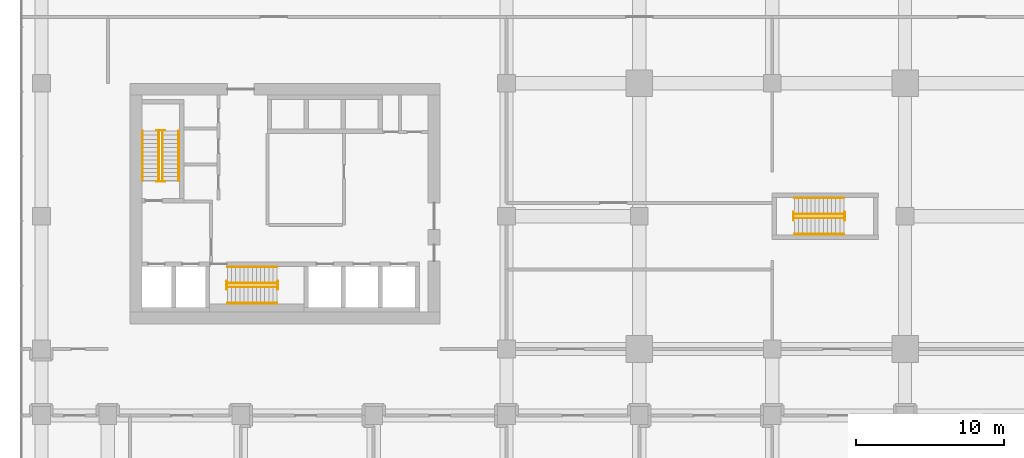
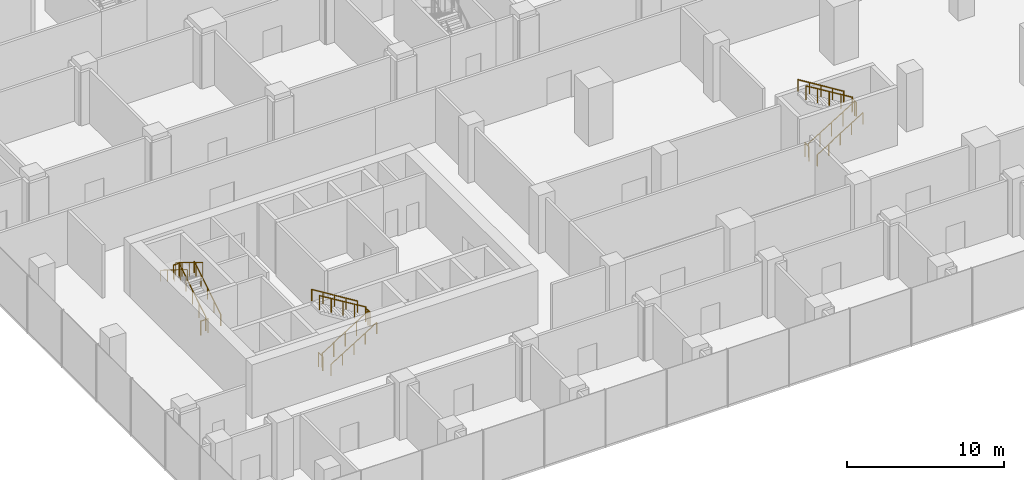
# One storey, part 39 of 43: 18 railings.
"""IFC4 building model written with IfcOpenShell, lengths in metres."""

import ifcopenshell
import ifcopenshell.guid

model = None  # the IFC model being written
_history = None  # IfcOwnerHistory: only IFC2X3 demands one
_inside = {}  # id of a spatial element -> (the spatial element, [elements in it])
_under = {}  # id of a project, library or spatial element -> (it, [spatial elements below it])
_declared = {}  # id of a project -> (the project, [libraries it declares])
_typed = {}  # id of a type object -> (the type object, [elements of that type])
_made_of = {}  # id of a material, layer set ... -> (it, [elements and type objects made of it])


def new_model(schema):
    """Start an empty IFC model of exactly this schema.

    Asked for "IFC4X3", IfcOpenShell would pick the latest addendum, in which some entities
    have other attributes; the version numbers below select the first issue.
    IFC2X3 requires an IfcOwnerHistory on every rooted entity: one is made here for all.
    """
    global model, _history
    if schema == "IFC4X3":
        model = ifcopenshell.file(schema_version=(4, 3, 0, 0))
    else:
        model = ifcopenshell.file(schema=schema)
    _inside.clear()
    _under.clear()
    _declared.clear()
    _typed.clear()
    _made_of.clear()
    _history = None
    if model.schema == "IFC2X3":
        org = make("IfcOrganization", Name="unknown")
        user = make(
            "IfcPersonAndOrganization",
            ThePerson=make("IfcPerson", FamilyName="unknown"),
            TheOrganization=org,
        )
        app = make(
            "IfcApplication",
            ApplicationDeveloper=org,
            Version="unknown",
            ApplicationFullName="unknown",
            ApplicationIdentifier="unknown",
        )
        _history = make(
            "IfcOwnerHistory",
            OwningUser=user,
            OwningApplication=app,
            ChangeAction="ADDED",
            CreationDate=0,
        )
    return model


def make(cls, **values):
    """One entity of the class cls with the attributes given. An attribute that is None is left unset."""
    return model.create_entity(
        cls, **{name: value for name, value in values.items() if value is not None}
    )


def rooted(cls, **values):
    """An entity with a GlobalId (a new one), such as an element, a storey or a relation."""
    return make(cls, GlobalId=ifcopenshell.guid.new(), OwnerHistory=_history, **values)


def si_unit(unit_type, name, prefix=None):
    """IfcSIUnit, for example si_unit("LENGTHUNIT", "METRE", prefix="MILLI")."""
    return make("IfcSIUnit", UnitType=unit_type, Prefix=prefix, Name=name)


def assignment(units):
    """IfcUnitAssignment: the units of a project."""
    return None if units is None else make("IfcUnitAssignment", Units=units)


def point(xyz):
    """IfcCartesianPoint."""
    return None if xyz is None else make("IfcCartesianPoint", Coordinates=xyz)


def direction(xyz):
    """IfcDirection."""
    return None if xyz is None else make("IfcDirection", DirectionRatios=xyz)


def frame(location, z_axis=None, x_axis=None):
    """IfcAxis2Placement3D, a coordinate frame: its origin and axes. An axis left out is left unset."""
    return make(
        "IfcAxis2Placement3D",
        Location=point(location),
        Axis=direction(z_axis),
        RefDirection=direction(x_axis),
    )


def frame_2d(location, x_axis=None):
    """IfcAxis2Placement2D, a coordinate frame in the plane: its origin and x axis."""
    return make(
        "IfcAxis2Placement2D", Location=point(location), RefDirection=direction(x_axis)
    )


def origin():
    """The frame at (0, 0, 0) with its axes left unset."""
    return frame((0.0, 0.0, 0.0))


def origin_2d():
    """The frame at (0, 0) in the plane with its x axis left unset."""
    return frame_2d((0.0, 0.0))


def place(relative_to, where):
    """IfcLocalPlacement: puts the frame where relative to a parent placement (None: the world)."""
    return make(
        "IfcLocalPlacement", PlacementRelTo=relative_to, RelativePlacement=where
    )


def context(
    kind, dimensions, precision=None, world=None, true_north=None, identifier=None
):
    """IfcGeometricRepresentationContext, for example the 3D "Model" context."""
    return make(
        "IfcGeometricRepresentationContext",
        ContextIdentifier=identifier,
        ContextType=kind,
        CoordinateSpaceDimension=dimensions,
        Precision=precision,
        WorldCoordinateSystem=world,
        TrueNorth=true_north,
    )


def subcontext(parent, identifier, kind, view, scale=None):
    """IfcGeometricRepresentationSubContext, for example "Body" below "Model"."""
    return make(
        "IfcGeometricRepresentationSubContext",
        ContextIdentifier=identifier,
        ContextType=kind,
        ParentContext=parent,
        TargetScale=scale,
        TargetView=view,
    )


def project(units=None, contexts=None):
    """IfcProject with its units and contexts."""
    return rooted(
        "IfcProject",
        Name="project",
        RepresentationContexts=contexts,
        UnitsInContext=assignment(units),
    )


def spatial(cls, under=None, at=None, **own):
    """A site, building, storey or space (cls), placed at a placement, below another one or the project."""
    s = rooted(cls, ObjectPlacement=at, **own)
    if under is not None:
        _under.setdefault(under.id(), (under, []))[1].append(s)
    return s


def profile(cls, at=None, kind="AREA", **sizes):
    """A parametric profile (cls). Its sizes go by their IFC names, for example OverallWidth=200.0."""
    return make(cls, ProfileType=kind, Position=at, **sizes)


def circle(**sizes):
    """IfcCircleProfileDef."""
    return profile("IfcCircleProfileDef", **sizes)


def extrude(swept, where, along, depth):
    """IfcExtrudedAreaSolid: the profile swept, set in the frame where, extruded along a direction by depth."""
    return make(
        "IfcExtrudedAreaSolid",
        SweptArea=swept,
        Position=where,
        ExtrudedDirection=direction(along),
        Depth=depth,
    )


def shape(context_of_items, identifier, shape_type, items):
    """IfcShapeRepresentation: the items that make up one representation, for example the "Body"."""
    return make(
        "IfcShapeRepresentation",
        ContextOfItems=context_of_items,
        RepresentationIdentifier=identifier,
        RepresentationType=shape_type,
        Items=items,
    )


def material(Name=None, Category=None):
    """IfcMaterial."""
    return make("IfcMaterial", Name=Name, Category=Category)


def made_of(thing, what):
    """Note that an element or type object is made of a material, layer set ...; save() writes the relation."""
    if what is not None:
        _made_of.setdefault(what.id(), (what, []))[1].append(thing)
    return thing


def type_object(cls, material=None, **own):
    """A type object (cls), such as IfcWallType, which elements share."""
    return made_of(rooted(cls, **own), material)


def element(
    cls,
    number,
    at=None,
    inside=None,
    cuts=None,
    type_object=None,
    material=None,
    context=None,
    identifier="Body",
    shape_type=None,
    held_by="IfcProductDefinitionShape",
    body=None,
    shapes=None,
    **own,
):
    """One element of the class cls, such as IfcWall. Its Tag is "e" and its number.

    at: its placement. inside: the storey or other place that contains it. cuts: it is an
    opening in that element (IfcRelVoidsElement). A single representation is given by context,
    identifier, shape_type and body (its items); several are given by shapes. held_by: the class
    of the entity that holds the representations. save() writes the other relations.
    """
    e = rooted(cls, Tag="e%d" % number, ObjectPlacement=at, **own)
    if body is not None:
        shapes = [shape(context, identifier, shape_type, body)]
    if shapes is not None:
        e.Representation = make(held_by, Representations=shapes)
    if inside is not None:
        _inside.setdefault(inside.id(), (inside, []))[1].append(e)
    if cuts is not None:
        rooted(
            "IfcRelVoidsElement", RelatingBuildingElement=cuts, RelatedOpeningElement=e
        )
    if type_object is not None:
        _typed.setdefault(type_object.id(), (type_object, []))[1].append(e)
    return made_of(e, material)


def aggregate(whole, parts):
    """IfcRelAggregates: a whole, such as a stair, and the parts it consists of."""
    return rooted("IfcRelAggregates", RelatingObject=whole, RelatedObjects=parts)


def save(model, path):
    """Write the relations noted so far, then the file.

    IfcRelAggregates (storeys below a building ...), IfcRelContainedInSpatialStructure (elements
    in a storey), IfcRelDefinesByType, IfcRelAssociatesMaterial and IfcRelDeclares: one each for
    every whole, place, type object, material and project.
    """
    for whole, parts in _under.values():
        aggregate(whole, parts)
    for where, things in _inside.values():
        rooted(
            "IfcRelContainedInSpatialStructure",
            RelatedElements=things,
            RelatingStructure=where,
        )
    for kind, things in _typed.values():
        rooted("IfcRelDefinesByType", RelatedObjects=things, RelatingType=kind)
    for what, things in _made_of.values():
        rooted("IfcRelAssociatesMaterial", RelatedObjects=things, RelatingMaterial=what)
    for by, libraries in _declared.values():
        rooted("IfcRelDeclares", RelatingContext=by, RelatedDefinitions=libraries)
    model.write(path)


model = new_model("IFC4")

# Units and contexts
model_context = context("Model", 3, precision=1e-05, world=origin(), true_north=direction((0.0, 1.0)))
body_context = subcontext(model_context, "Body", "Model", "MODEL_VIEW")
ifc_project = project(units=[si_unit("LENGTHUNIT", "METRE"), si_unit("AREAUNIT", "SQUARE_METRE"), si_unit("VOLUMEUNIT", "CUBIC_METRE"), si_unit("PLANEANGLEUNIT", "RADIAN"), si_unit("MASSUNIT", "GRAM", prefix="KILO")], contexts=[model_context])

# Site, building, storey
site_placement = place(None, origin())
site = spatial("IfcSite", under=ifc_project, at=site_placement, CompositionType="ELEMENT")
building_placement = place(site_placement, origin())
building = spatial("IfcBuilding", under=site, at=building_placement, Name="Plateau Cross Towers", CompositionType="ELEMENT")
storey_placement = place(building_placement, frame((0.0, 0.0, 17.300048828125)))
storey = spatial("IfcBuildingStorey", under=building, at=storey_placement, Name="L03", CompositionType="ELEMENT", Elevation=17.300048828125)

# Railings
ifc_material_1 = material(Name="Stainless steel and toughened glass", Category="steel")
railing_type_1 = type_object("IfcRailingType", Name="RL-GUARD-1100", PredefinedType="GUARDRAIL", material=ifc_material_1)
railing_1_placement = place(storey_placement, frame((3.699951171875, 11.39990234375, 0.173095703125)))
element("IfcRailing", 1, at=railing_1_placement, inside=storey, type_object=railing_type_1, Name="L03 ST-1 stair guard 1", PredefinedType="GUARDRAIL", context=body_context, shape_type="SweptSolid", body=[
    extrude(circle(Radius=0.02392578125, at=origin_2d()), frame((0.0, 0.0, 1.076171875), z_axis=(0.0, 0.850623216509, 0.525775754039), x_axis=(-1.0, 0.0, 0.0)), (0.0, 0.0, 1.0), 3.9501953125),
    extrude(circle(Radius=0.02099609375, at=origin_2d()), origin(), (0.0, 0.0, 1.0), 1.052001953125),
    extrude(circle(Radius=0.02099609375, at=origin_2d()), frame((0.0, 0.840087890625, 0.519287109375)), (0.0, 0.0, 1.0), 1.052001953125),
    extrude(circle(Radius=0.02099609375, at=origin_2d()), frame((0.0, 1.68017578125, 1.03857421875)), (0.0, 0.0, 1.0), 1.052001953125),
    extrude(circle(Radius=0.02099609375, at=origin_2d()), frame((0.0, 2.52001953125, 1.5576171875)), (0.0, 0.0, 1.0), 1.052001953125),
    extrude(circle(Radius=0.02099609375, at=origin_2d()), frame((0.0, 3.360107421875, 2.076904296875)), (0.0, 0.0, 1.0), 1.052001953125),
])
railing_2_placement = place(storey_placement, frame((3.85009765625, 14.81005859375, 2.25)))
element("IfcRailing", 2, at=railing_2_placement, inside=storey, type_object=railing_type_1, Name="L03 ST-1 stair guard 2", PredefinedType="GUARDRAIL", context=body_context, shape_type="SweptSolid", body=[
    extrude(circle(Radius=0.02392578125, at=origin_2d()), frame((0.0, 0.0, 1.076171875), z_axis=(-1.0, 0.0, 0.0), x_axis=(0.0, -1.0, 0.0)), (0.0, 0.0, 1.0), 0.550048828125),
    extrude(circle(Radius=0.02099609375, at=origin_2d()), origin(), (0.0, 0.0, 1.0), 1.052001953125),
    extrude(circle(Radius=0.02099609375, at=origin_2d()), frame((-0.550048828125, 0.0, 0.0)), (0.0, 0.0, 1.0), 1.052001953125),
])
railing_3_placement = place(storey_placement, frame((3.449951171875, 14.760009765625, 2.423095703125)))
element("IfcRailing", 3, at=railing_3_placement, inside=storey, type_object=railing_type_1, Name="L03 ST-1 stair guard 3", PredefinedType="GUARDRAIL", context=body_context, shape_type="SweptSolid", body=[
    extrude(circle(Radius=0.02392578125, at=origin_2d()), frame((0.0, 0.0, 1.076171875), z_axis=(0.0, -0.854053285388, 0.520185530092), x_axis=(1.0, 0.0, 0.0)), (0.0, 0.0, 1.0), 3.99267578125),
    extrude(circle(Radius=0.02099609375, at=origin_2d()), origin(), (0.0, 0.0, 1.0), 1.052001953125),
    extrude(circle(Radius=0.02099609375, at=origin_2d()), frame((0.0, -0.8525390625, 0.519287109375)), (0.0, 0.0, 1.0), 1.052001953125),
    extrude(circle(Radius=0.02099609375, at=origin_2d()), frame((0.0, -1.705078125, 1.03857421875)), (0.0, 0.0, 1.0), 1.052001953125),
    extrude(circle(Radius=0.02099609375, at=origin_2d()), frame((0.0, -2.557373046875, 1.5576171875)), (0.0, 0.0, 1.0), 1.052001953125),
    extrude(circle(Radius=0.02099609375, at=origin_2d()), frame((0.0, -3.409912109375, 2.076904296875)), (0.0, 0.0, 1.0), 1.052001953125),
])
railing_4_placement = place(storey_placement, frame((3.85009765625, 11.35009765625, 0.0)))
element("IfcRailing", 4, at=railing_4_placement, inside=storey, type_object=railing_type_1, Name="L03 ST-1 stair guard 4", PredefinedType="GUARDRAIL", context=body_context, shape_type="SweptSolid", body=[
    extrude(circle(Radius=0.02392578125, at=origin_2d()), frame((0.0, 0.0, 1.076171875), z_axis=(-1.0, 0.0, 0.0), x_axis=(0.0, -1.0, 0.0)), (0.0, 0.0, 1.0), 0.550048828125),
    extrude(circle(Radius=0.02099609375, at=origin_2d()), origin(), (0.0, 0.0, 1.0), 1.052001953125),
    extrude(circle(Radius=0.02099609375, at=origin_2d()), frame((-0.550048828125, 0.0, 0.0)), (0.0, 0.0, 1.0), 1.052001953125),
])
railing_5_placement = place(storey_placement, frame((8.10009765625, 4.199951171875, 0.173095703125)))
element("IfcRailing", 5, at=railing_5_placement, inside=storey, type_object=railing_type_1, Name="L03 ST-2 stair guard 1", PredefinedType="GUARDRAIL", context=body_context, shape_type="SweptSolid", body=[
    extrude(circle(Radius=0.02392578125, at=origin_2d()), frame((0.0, 0.0, 1.076171875), z_axis=(0.850606129759, 0.0, 0.525803396734), x_axis=(0.0, 1.0, 0.0)), (0.0, 0.0, 1.0), 3.949951171875),
    extrude(circle(Radius=0.02099609375, at=origin_2d()), origin(), (0.0, 0.0, 1.0), 1.052001953125),
    extrude(circle(Radius=0.02099609375, at=origin_2d()), frame((0.83984375, 0.0, 0.519287109375)), (0.0, 0.0, 1.0), 1.052001953125),
    extrude(circle(Radius=0.02099609375, at=origin_2d()), frame((1.679931640625, 0.0, 1.03857421875)), (0.0, 0.0, 1.0), 1.052001953125),
    extrude(circle(Radius=0.02099609375, at=origin_2d()), frame((2.52001953125, 0.0, 1.5576171875)), (0.0, 0.0, 1.0), 1.052001953125),
    extrude(circle(Radius=0.02099609375, at=origin_2d()), frame((3.35986328125, 0.0, 2.076904296875)), (0.0, 0.0, 1.0), 1.052001953125),
])
railing_6_placement = place(storey_placement, frame((11.510009765625, 4.050048828125, 2.25)))
element("IfcRailing", 6, at=railing_6_placement, inside=storey, type_object=railing_type_1, Name="L03 ST-2 stair guard 2", PredefinedType="GUARDRAIL", context=body_context, shape_type="SweptSolid", body=[
    extrude(circle(Radius=0.02392578125, at=origin_2d()), frame((0.0, 0.0, 1.076171875), z_axis=(0.0, 1.0, 0.0), x_axis=(-1.0, 0.0, 0.0)), (0.0, 0.0, 1.0), 0.550048828125),
    extrude(circle(Radius=0.02099609375, at=origin_2d()), origin(), (0.0, 0.0, 1.0), 1.052001953125),
    extrude(circle(Radius=0.02099609375, at=origin_2d()), frame((0.0, 0.550048828125, 0.0)), (0.0, 0.0, 1.0), 1.052001953125),
])
railing_7_placement = place(storey_placement, frame((11.4599609375, 4.449951171875, 2.423095703125)))
element("IfcRailing", 7, at=railing_7_placement, inside=storey, type_object=railing_type_1, Name="L03 ST-2 stair guard 3", PredefinedType="GUARDRAIL", context=body_context, shape_type="SweptSolid", body=[
    extrude(circle(Radius=0.02392578125, at=origin_2d()), frame((0.0, 0.0, 1.076171875), z_axis=(-0.854053285388, 0.0, 0.520185530092), x_axis=(0.0, -1.0, 0.0)), (0.0, 0.0, 1.0), 3.99267578125),
    extrude(circle(Radius=0.02099609375, at=origin_2d()), origin(), (0.0, 0.0, 1.0), 1.052001953125),
    extrude(circle(Radius=0.02099609375, at=origin_2d()), frame((-0.8525390625, 0.0, 0.519287109375)), (0.0, 0.0, 1.0), 1.052001953125),
    extrude(circle(Radius=0.02099609375, at=origin_2d()), frame((-1.705078125, 0.0, 1.03857421875)), (0.0, 0.0, 1.0), 1.052001953125),
    extrude(circle(Radius=0.02099609375, at=origin_2d()), frame((-2.557373046875, 0.0, 1.5576171875)), (0.0, 0.0, 1.0), 1.052001953125),
    extrude(circle(Radius=0.02099609375, at=origin_2d()), frame((-3.409912109375, 0.0, 2.076904296875)), (0.0, 0.0, 1.0), 1.052001953125),
])
railing_8_placement = place(storey_placement, frame((8.050048828125, 4.050048828125, 0.0)))
element("IfcRailing", 8, at=railing_8_placement, inside=storey, type_object=railing_type_1, Name="L03 ST-2 stair guard 4", PredefinedType="GUARDRAIL", context=body_context, shape_type="SweptSolid", body=[
    extrude(circle(Radius=0.02392578125, at=origin_2d()), frame((0.0, 0.0, 1.076171875), z_axis=(0.0, 1.0, 0.0), x_axis=(-1.0, 0.0, 0.0)), (0.0, 0.0, 1.0), 0.550048828125),
    extrude(circle(Radius=0.02099609375, at=origin_2d()), origin(), (0.0, 0.0, 1.0), 1.052001953125),
    extrude(circle(Radius=0.02099609375, at=origin_2d()), frame((0.0, 0.550048828125, 0.0)), (0.0, 0.0, 1.0), 1.052001953125),
])
railing_9_placement = place(storey_placement, frame((46.5, 8.875, 0.173095703125)))
element("IfcRailing", 9, at=railing_9_placement, inside=storey, type_object=railing_type_1, Name="L03 ES-E stair guard 1", PredefinedType="GUARDRAIL", context=body_context, shape_type="SweptSolid", body=[
    extrude(circle(Radius=0.02392578125, at=origin_2d()), frame((0.0, 0.0, 1.076171875), z_axis=(0.850623216509, 0.0, 0.525775754039), x_axis=(0.0, 1.0, 0.0)), (0.0, 0.0, 1.0), 3.9501953125),
    extrude(circle(Radius=0.02099609375, at=origin_2d()), origin(), (0.0, 0.0, 1.0), 1.052001953125),
    extrude(circle(Radius=0.02099609375, at=origin_2d()), frame((0.840087890625, 0.0, 0.519287109375)), (0.0, 0.0, 1.0), 1.052001953125),
    extrude(circle(Radius=0.02099609375, at=origin_2d()), frame((1.68017578125, 0.0, 1.03857421875)), (0.0, 0.0, 1.0), 1.052001953125),
    extrude(circle(Radius=0.02099609375, at=origin_2d()), frame((2.52001953125, 0.0, 1.5576171875)), (0.0, 0.0, 1.0), 1.052001953125),
    extrude(circle(Radius=0.02099609375, at=origin_2d()), frame((3.360107421875, 0.0, 2.076904296875)), (0.0, 0.0, 1.0), 1.052001953125),
])
railing_10_placement = place(storey_placement, frame((49.909912109375, 8.72509765625, 2.25)))
element("IfcRailing", 10, at=railing_10_placement, inside=storey, type_object=railing_type_1, Name="L03 ES-E stair guard 2", PredefinedType="GUARDRAIL", context=body_context, shape_type="SweptSolid", body=[
    extrude(circle(Radius=0.02392578125, at=origin_2d()), frame((0.0, 0.0, 1.076171875), z_axis=(0.0, 1.0, 0.0), x_axis=(-1.0, 0.0, 0.0)), (0.0, 0.0, 1.0), 0.5498046875),
    extrude(circle(Radius=0.02099609375, at=origin_2d()), origin(), (0.0, 0.0, 1.0), 1.052001953125),
    extrude(circle(Radius=0.02099609375, at=origin_2d()), frame((0.0, 0.5498046875, 0.0)), (0.0, 0.0, 1.0), 1.052001953125),
])
railing_11_placement = place(storey_placement, frame((49.860107421875, 9.125, 2.423095703125)))
element("IfcRailing", 11, at=railing_11_placement, inside=storey, type_object=railing_type_1, Name="L03 ES-E stair guard 3", PredefinedType="GUARDRAIL", context=body_context, shape_type="SweptSolid", body=[
    extrude(circle(Radius=0.02392578125, at=origin_2d()), frame((0.0, 0.0, 1.076171875), z_axis=(-0.854069830296, 0.0, 0.520158365287), x_axis=(0.0, -1.0, 0.0)), (0.0, 0.0, 1.0), 3.992919921875),
    extrude(circle(Radius=0.02099609375, at=origin_2d()), origin(), (0.0, 0.0, 1.0), 1.052001953125),
    extrude(circle(Radius=0.02099609375, at=origin_2d()), frame((-0.8525390625, 0.0, 0.519287109375)), (0.0, 0.0, 1.0), 1.052001953125),
    extrude(circle(Radius=0.02099609375, at=origin_2d()), frame((-1.705078125, 0.0, 1.03857421875)), (0.0, 0.0, 1.0), 1.052001953125),
    extrude(circle(Radius=0.02099609375, at=origin_2d()), frame((-2.5576171875, 0.0, 1.5576171875)), (0.0, 0.0, 1.0), 1.052001953125),
    extrude(circle(Radius=0.02099609375, at=origin_2d()), frame((-3.41015625, 0.0, 2.076904296875)), (0.0, 0.0, 1.0), 1.052001953125),
])
railing_12_placement = place(storey_placement, frame((46.449951171875, 8.72509765625, 0.0)))
element("IfcRailing", 12, at=railing_12_placement, inside=storey, type_object=railing_type_1, Name="L03 ES-E stair guard 4", PredefinedType="GUARDRAIL", context=body_context, shape_type="SweptSolid", body=[
    extrude(circle(Radius=0.02392578125, at=origin_2d()), frame((0.0, 0.0, 1.076171875), z_axis=(0.0, 1.0, 0.0), x_axis=(-1.0, 0.0, 0.0)), (0.0, 0.0, 1.0), 0.5498046875),
    extrude(circle(Radius=0.02099609375, at=origin_2d()), origin(), (0.0, 0.0, 1.0), 1.052001953125),
    extrude(circle(Radius=0.02099609375, at=origin_2d()), frame((0.0, 0.5498046875, 0.0)), (0.0, 0.0, 1.0), 1.052001953125),
])
ifc_material_2 = material(Name="Black anodised aluminium", Category="aluminium")
railing_type_2 = type_object("IfcRailingType", Name="RL-HANDRAIL-900", PredefinedType="HANDRAIL", material=ifc_material_2)
railing_13_placement = place(storey_placement, frame((4.800048828125, 11.39990234375, 0.173095703125)))
element("IfcRailing", 13, at=railing_13_placement, inside=storey, type_object=railing_type_2, Name="L03 ST-1 stair handrail 1", PredefinedType="HANDRAIL", context=body_context, shape_type="SweptSolid", body=[
    extrude(circle(Radius=0.02392578125, at=origin_2d()), frame((0.0, 0.0, 0.8759765625), z_axis=(0.0, 0.850623216509, 0.525775754039), x_axis=(-1.0, 0.0, 0.0)), (0.0, 0.0, 1.0), 3.9501953125),
    extrude(circle(Radius=0.02099609375, at=origin_2d()), origin(), (0.0, 0.0, 1.0), 0.851806640625),
    extrude(circle(Radius=0.02099609375, at=origin_2d()), frame((0.0, 0.840087890625, 0.519287109375)), (0.0, 0.0, 1.0), 0.851806640625),
    extrude(circle(Radius=0.02099609375, at=origin_2d()), frame((0.0, 1.68017578125, 1.03857421875)), (0.0, 0.0, 1.0), 0.851806640625),
    extrude(circle(Radius=0.02099609375, at=origin_2d()), frame((0.0, 2.52001953125, 1.5576171875)), (0.0, 0.0, 1.0), 0.851806640625),
    extrude(circle(Radius=0.02099609375, at=origin_2d()), frame((0.0, 3.360107421875, 2.076904296875)), (0.0, 0.0, 1.0), 0.851806640625),
])
railing_14_placement = place(storey_placement, frame((2.35009765625, 14.760009765625, 2.423095703125)))
element("IfcRailing", 14, at=railing_14_placement, inside=storey, type_object=railing_type_2, Name="L03 ST-1 stair handrail 2", PredefinedType="HANDRAIL", context=body_context, shape_type="SweptSolid", body=[
    extrude(circle(Radius=0.02392578125, at=origin_2d()), frame((0.0, 0.0, 0.8759765625), z_axis=(0.0, -0.850623216509, 0.525775754039), x_axis=(1.0, 0.0, 0.0)), (0.0, 0.0, 1.0), 3.9501953125),
    extrude(circle(Radius=0.02099609375, at=origin_2d()), origin(), (0.0, 0.0, 1.0), 0.851806640625),
    extrude(circle(Radius=0.02099609375, at=origin_2d()), frame((0.0, -0.840087890625, 0.519287109375)), (0.0, 0.0, 1.0), 0.851806640625),
    extrude(circle(Radius=0.02099609375, at=origin_2d()), frame((0.0, -1.68017578125, 1.03857421875)), (0.0, 0.0, 1.0), 0.851806640625),
    extrude(circle(Radius=0.02099609375, at=origin_2d()), frame((0.0, -2.52001953125, 1.5576171875)), (0.0, 0.0, 1.0), 0.851806640625),
    extrude(circle(Radius=0.02099609375, at=origin_2d()), frame((0.0, -3.360107421875, 2.076904296875)), (0.0, 0.0, 1.0), 0.851806640625),
])
railing_15_placement = place(storey_placement, frame((8.10009765625, 3.10009765625, 0.173095703125)))
element("IfcRailing", 15, at=railing_15_placement, inside=storey, type_object=railing_type_2, Name="L03 ST-2 stair handrail 1", PredefinedType="HANDRAIL", context=body_context, shape_type="SweptSolid", body=[
    extrude(circle(Radius=0.02392578125, at=origin_2d()), frame((0.0, 0.0, 0.8759765625), z_axis=(0.850606129759, 0.0, 0.525803396734), x_axis=(0.0, 1.0, 0.0)), (0.0, 0.0, 1.0), 3.949951171875),
    extrude(circle(Radius=0.02099609375, at=origin_2d()), origin(), (0.0, 0.0, 1.0), 0.851806640625),
    extrude(circle(Radius=0.02099609375, at=origin_2d()), frame((0.83984375, 0.0, 0.519287109375)), (0.0, 0.0, 1.0), 0.851806640625),
    extrude(circle(Radius=0.02099609375, at=origin_2d()), frame((1.679931640625, 0.0, 1.03857421875)), (0.0, 0.0, 1.0), 0.851806640625),
    extrude(circle(Radius=0.02099609375, at=origin_2d()), frame((2.52001953125, 0.0, 1.5576171875)), (0.0, 0.0, 1.0), 0.851806640625),
    extrude(circle(Radius=0.02099609375, at=origin_2d()), frame((3.35986328125, 0.0, 2.076904296875)), (0.0, 0.0, 1.0), 0.851806640625),
])
railing_16_placement = place(storey_placement, frame((11.4599609375, 5.550048828125, 2.423095703125)))
element("IfcRailing", 16, at=railing_16_placement, inside=storey, type_object=railing_type_2, Name="L03 ST-2 stair handrail 2", PredefinedType="HANDRAIL", context=body_context, shape_type="SweptSolid", body=[
    extrude(circle(Radius=0.02392578125, at=origin_2d()), frame((0.0, 0.0, 0.8759765625), z_axis=(-0.850606129759, 0.0, 0.525803396734), x_axis=(0.0, -1.0, 0.0)), (0.0, 0.0, 1.0), 3.949951171875),
    extrude(circle(Radius=0.02099609375, at=origin_2d()), origin(), (0.0, 0.0, 1.0), 0.851806640625),
    extrude(circle(Radius=0.02099609375, at=origin_2d()), frame((-0.83984375, 0.0, 0.519287109375)), (0.0, 0.0, 1.0), 0.851806640625),
    extrude(circle(Radius=0.02099609375, at=origin_2d()), frame((-1.679931640625, 0.0, 1.03857421875)), (0.0, 0.0, 1.0), 0.851806640625),
    extrude(circle(Radius=0.02099609375, at=origin_2d()), frame((-2.52001953125, 0.0, 1.5576171875)), (0.0, 0.0, 1.0), 0.851806640625),
    extrude(circle(Radius=0.02099609375, at=origin_2d()), frame((-3.35986328125, 0.0, 2.076904296875)), (0.0, 0.0, 1.0), 0.851806640625),
])
railing_17_placement = place(storey_placement, frame((46.5, 7.77490234375, 0.173095703125)))
element("IfcRailing", 17, at=railing_17_placement, inside=storey, type_object=railing_type_2, Name="L03 ES-E stair handrail 1", PredefinedType="HANDRAIL", context=body_context, shape_type="SweptSolid", body=[
    extrude(circle(Radius=0.02392578125, at=origin_2d()), frame((0.0, 0.0, 0.8759765625), z_axis=(0.850623216509, 0.0, 0.525775754039), x_axis=(0.0, 1.0, 0.0)), (0.0, 0.0, 1.0), 3.9501953125),
    extrude(circle(Radius=0.02099609375, at=origin_2d()), origin(), (0.0, 0.0, 1.0), 0.851806640625),
    extrude(circle(Radius=0.02099609375, at=origin_2d()), frame((0.840087890625, 0.0, 0.519287109375)), (0.0, 0.0, 1.0), 0.851806640625),
    extrude(circle(Radius=0.02099609375, at=origin_2d()), frame((1.68017578125, 0.0, 1.03857421875)), (0.0, 0.0, 1.0), 0.851806640625),
    extrude(circle(Radius=0.02099609375, at=origin_2d()), frame((2.52001953125, 0.0, 1.5576171875)), (0.0, 0.0, 1.0), 0.851806640625),
    extrude(circle(Radius=0.02099609375, at=origin_2d()), frame((3.360107421875, 0.0, 2.076904296875)), (0.0, 0.0, 1.0), 0.851806640625),
])
railing_18_placement = place(storey_placement, frame((49.860107421875, 10.22509765625, 2.423095703125)))
element("IfcRailing", 18, at=railing_18_placement, inside=storey, type_object=railing_type_2, Name="L03 ES-E stair handrail 2", PredefinedType="HANDRAIL", context=body_context, shape_type="SweptSolid", body=[
    extrude(circle(Radius=0.02392578125, at=origin_2d()), frame((0.0, 0.0, 0.8759765625), z_axis=(-0.850623216509, 0.0, 0.525775754039), x_axis=(0.0, -1.0, 0.0)), (0.0, 0.0, 1.0), 3.9501953125),
    extrude(circle(Radius=0.02099609375, at=origin_2d()), origin(), (0.0, 0.0, 1.0), 0.851806640625),
    extrude(circle(Radius=0.02099609375, at=origin_2d()), frame((-0.840087890625, 0.0, 0.519287109375)), (0.0, 0.0, 1.0), 0.851806640625),
    extrude(circle(Radius=0.02099609375, at=origin_2d()), frame((-1.68017578125, 0.0, 1.03857421875)), (0.0, 0.0, 1.0), 0.851806640625),
    extrude(circle(Radius=0.02099609375, at=origin_2d()), frame((-2.52001953125, 0.0, 1.5576171875)), (0.0, 0.0, 1.0), 0.851806640625),
    extrude(circle(Radius=0.02099609375, at=origin_2d()), frame((-3.360107421875, 0.0, 2.076904296875)), (0.0, 0.0, 1.0), 0.851806640625),
])

save(model, "model.ifc")
